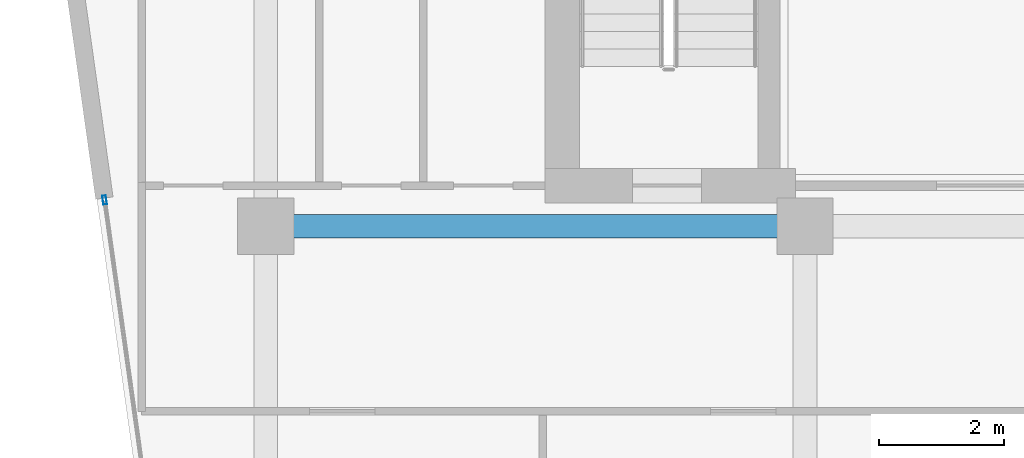
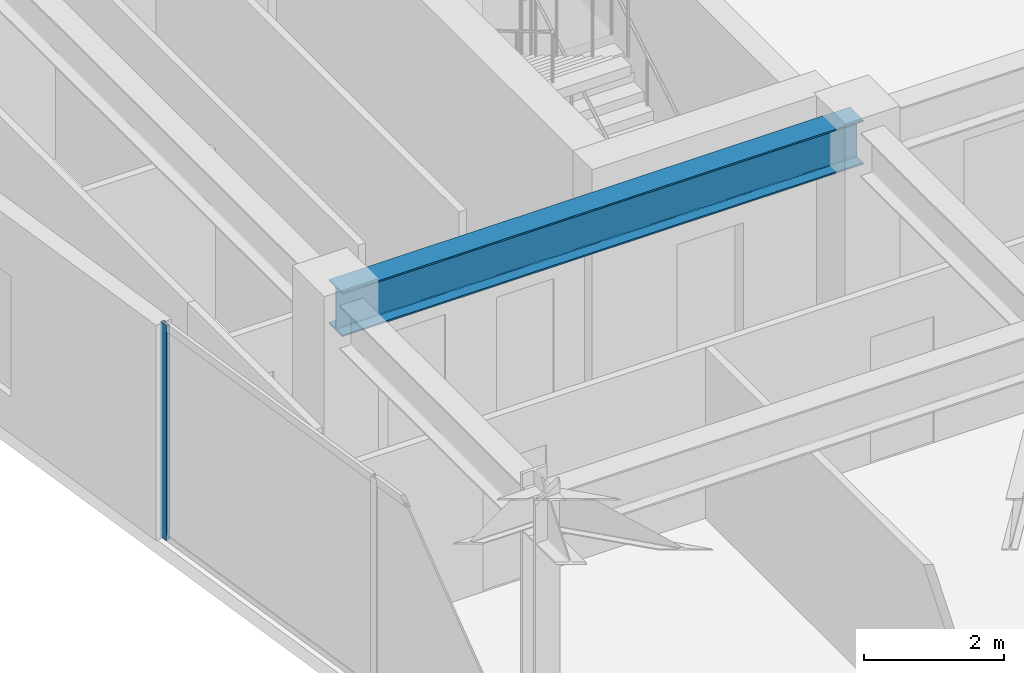
# One storey, part 12 of 26: 1 beam, 1 member, 1 element without a shape of its own.
"""IFC4 building model written with IfcOpenShell, lengths in metres."""

from ifc_helpers import new_model, si_unit, direction, frame, origin, origin_2d, place, context, subcontext, project, spatial, hollow_rectangle, i_section, extrude, material, layer, layer_set, material_profile, profile_set, type_object, element, aggregate, save


model = new_model("IFC4")

# Units and contexts
model_context = context("Model", 3, precision=1e-05, world=origin(), true_north=direction((0.0, 1.0)))
body_context = subcontext(model_context, "Body", "Model", "MODEL_VIEW")
ifc_project = project(units=[si_unit("LENGTHUNIT", "METRE"), si_unit("AREAUNIT", "SQUARE_METRE"), si_unit("VOLUMEUNIT", "CUBIC_METRE"), si_unit("PLANEANGLEUNIT", "RADIAN"), si_unit("MASSUNIT", "GRAM", prefix="KILO")], contexts=[model_context])

# Site, building, storey
site_placement = place(None, origin())
site = spatial("IfcSite", under=ifc_project, at=site_placement, CompositionType="ELEMENT")
building_placement = place(site_placement, origin())
building = spatial("IfcBuilding", under=site, at=building_placement, Name="Kravanh Interchange Tower", CompositionType="ELEMENT")
storey_placement = place(building_placement, frame((0.0, 0.0, 180.5)))
storey = spatial("IfcBuildingStorey", under=building, at=storey_placement, Name="L43", CompositionType="ELEMENT", Elevation=180.5)

# Curtain wall, member
ifc_material_1 = material(Name="Anodised Bronze Aluminium", Category="aluminium")
ifc_layer = layer(ifc_material_1, 0.179931640625)
ifc_layer_set = layer_set([ifc_layer], Name="Unitised Curtain Wall System CW-Z3 Upper Office")
curtain_wall_type = type_object("IfcCurtainWallType", Name="Unitised Curtain Wall System CW-Z3 Upper Office", PredefinedType="NOTDEFINED", material=ifc_layer_set)
curtain_wall_placement = place(storey_placement, origin())
curtain_wall = element("IfcCurtainWall", 1, at=curtain_wall_placement, inside=storey, type_object=curtain_wall_type, Name="L43 Unitised Curtain Wall CW-L43-01", PredefinedType="NOTDEFINED")
ifc_material_2 = material(Name="Anodised Bronze Aluminium", Category="aluminium")
ifc_material_profile_1 = material_profile(ifc_material_2, hollow_rectangle(XDim=0.06005859375, YDim=0.139892578125, WallThickness=0.00390625, at=origin_2d()), Name="ALU60X140X4")
ifc_profile_set_1 = profile_set([ifc_material_profile_1], Name="Anodised Bronze Aluminium")
member_type = type_object("IfcMemberType", Name="Curtain Wall Mullion ALU60X140X4 Bronze", PredefinedType="MULLION", material=ifc_profile_set_1)
member_placement = place(storey_placement, frame((16.029296875, 37.770263671875, 0.0), z_axis=(0.0, 0.0, 1.0), x_axis=(-0.990268194035, -0.139172209446, 0.0)))
member = element("IfcMember", 2, at=member_placement, type_object=member_type, Name="CW-Z3 mullion 6", PredefinedType="MULLION", context=body_context, shape_type="SweptSolid", body=[
    extrude(hollow_rectangle(XDim=0.06005859375, YDim=0.139892578125, WallThickness=0.00390625, at=origin_2d()), origin(), (0.0, 0.0, 1.0), 3.7548828125),
])
aggregate(curtain_wall, [member])

# Beam
ifc_material_3 = material(Name="Structural Steel S355", Category="steel")
ifc_material_profile_2 = material_profile(ifc_material_3, i_section(OverallWidth=0.381103515625, OverallDepth=0.77294921875, WebThickness=0.0166015625, FlangeThickness=0.027099609375, FilletRadius=0.02490234375, at=origin_2d()), Name="W30X173")
ifc_profile_set_2 = profile_set([ifc_material_profile_2], Name="Structural Steel S355")
beam_type = type_object("IfcBeamType", Name="Floor Beam W30X173 Structural Steel S355", PredefinedType="BEAM", material=ifc_profile_set_2)
beam_placement = place(storey_placement, frame((27.199951171875, 37.35009765625, 3.368408203125), z_axis=(-1.0, 0.0, 0.0), x_axis=(0.0, -1.0, 0.0)))
element("IfcBeam", 3, at=beam_placement, inside=storey, type_object=beam_type, Name="L43 Primary Floor Girder 25", PredefinedType="BEAM", context=body_context, shape_type="SweptSolid", body=[
    extrude(i_section(OverallWidth=0.381103515625, OverallDepth=0.77294921875, WebThickness=0.0166015625, FlangeThickness=0.027099609375, FilletRadius=0.02490234375, at=origin_2d()), origin(), (0.0, 0.0, 1.0), 8.599853515625),
])

save(model, "model.ifc")
